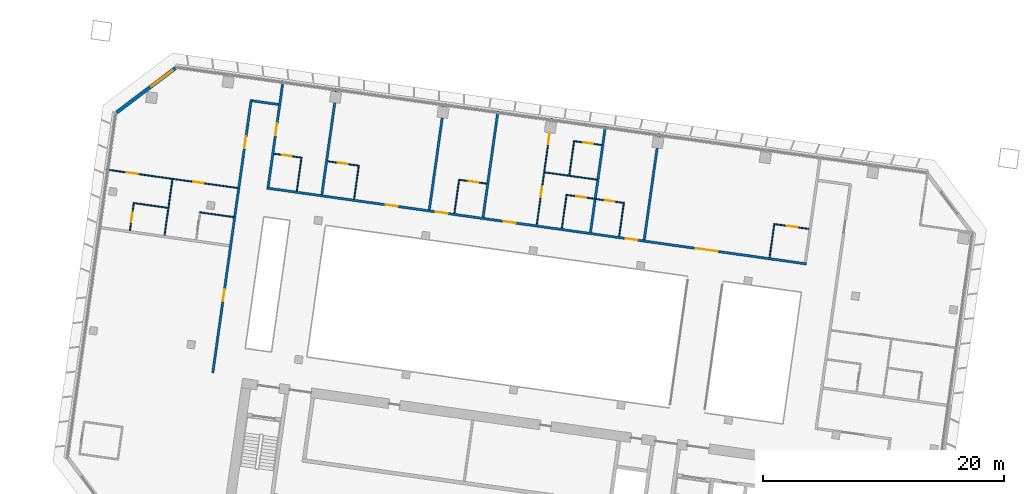
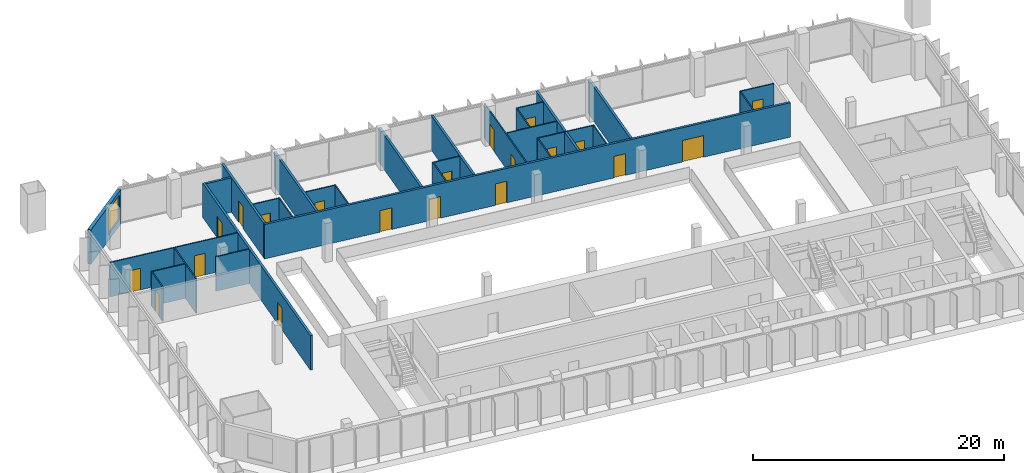
# One storey, part 16 of 25: 30 walls, 20 doors, 1 window, 21 openings.
"""IFC4 building model written with IfcOpenShell, lengths in metres."""

from ifc_helpers import new_model, si_unit, direction, frame, frame_2d, origin, place, context, subcontext, project, spatial, rectangle, extrude, material, layer, layer_set, type_object, element, fill, save


model = new_model("IFC4")

# Units and contexts
model_context = context("Model", 3, precision=1e-05, world=origin(), true_north=direction((0.0, 1.0)))
body_context = subcontext(model_context, "Body", "Model", "MODEL_VIEW")
ifc_project = project(units=[si_unit("LENGTHUNIT", "METRE"), si_unit("AREAUNIT", "SQUARE_METRE"), si_unit("VOLUMEUNIT", "CUBIC_METRE"), si_unit("PLANEANGLEUNIT", "RADIAN"), si_unit("MASSUNIT", "GRAM", prefix="KILO")], contexts=[model_context])

# Site, building, storey
site_placement = place(None, origin())
site = spatial("IfcSite", under=ifc_project, at=site_placement, CompositionType="ELEMENT")
building_placement = place(site_placement, origin())
building = spatial("IfcBuilding", under=site, at=building_placement, Name="Mirante Cascada Hotel Towers", CompositionType="ELEMENT")
storey_placement = place(building_placement, frame((0.0, 0.0, 129.1)))
storey = spatial("IfcBuildingStorey", under=building, at=storey_placement, Name="L29", CompositionType="ELEMENT", Elevation=129.1)

# Wall, openings, doors
ifc_material_1 = material(Name="Fire-rated plasterboard on metal studs")
ifc_layer_1 = layer(ifc_material_1, 0.2)
ifc_layer_set_1 = layer_set([ifc_layer_1], Name="Compartment wall 200 EI 120")
wall_type_1 = type_object("IfcWallType", Name="Compartment wall 200 EI 120", PredefinedType="PARTITIONING", material=ifc_layer_set_1)
wall_1_placement = place(storey_placement, frame((-41.8779, 9.7676, 0.0), z_axis=(0.0, 0.0, 1.0), x_axis=(-0.9902681, 0.1391726, 0.0)))
wall_1 = element("IfcWall", 1, at=wall_1_placement, inside=storey, type_object=wall_type_1, Name="Wall 1-L29-12", PredefinedType="PARTITIONING", context=body_context, shape_type="SweptSolid", body=[
    extrude(rectangle(XDim=45.2, YDim=0.2, at=frame_2d((22.6, 0.0))), origin(), (0.0, 0.0, 1.0), 3.35),
])
opening_1_placement = place(wall_1_placement, frame((7.45, 0.0, 0.0)))
opening_1 = element("IfcOpeningElement", 2, at=opening_1_placement, cuts=wall_1, Name="Opening D1-L29-06", PredefinedType="OPENING", context=body_context, shape_type="SweptSolid", body=[
    extrude(rectangle(XDim=1.8, YDim=2.1, at=frame_2d((0.9, 1.05))), frame((0.0, 0.1, 0.0), z_axis=(0.0, -1.0, 0.0), x_axis=(1.0, 0.0, 0.0)), (0.0, 0.0, 1.0), 0.2),
])
opening_2_placement = place(wall_1_placement, frame((14.15, 0.0, 0.0)))
opening_2 = element("IfcOpeningElement", 3, at=opening_2_placement, cuts=wall_1, Name="Opening D1-L29-07", PredefinedType="OPENING", context=body_context, shape_type="SweptSolid", body=[
    extrude(rectangle(XDim=1.0, YDim=2.1, at=frame_2d((0.5, 1.05))), frame((0.0, 0.1, 0.0), z_axis=(0.0, -1.0, 0.0), x_axis=(1.0, 0.0, 0.0)), (0.0, 0.0, 1.0), 0.2),
])
opening_3_placement = place(wall_1_placement, frame((24.35, 0.0, 0.0)))
opening_3 = element("IfcOpeningElement", 4, at=opening_3_placement, cuts=wall_1, Name="Opening D1-L29-08", PredefinedType="OPENING", context=body_context, shape_type="SweptSolid", body=[
    extrude(rectangle(XDim=1.0, YDim=2.1, at=frame_2d((0.5, 1.05))), frame((0.0, 0.1, 0.0), z_axis=(0.0, -1.0, 0.0), x_axis=(1.0, 0.0, 0.0)), (0.0, 0.0, 1.0), 0.2),
])
opening_4_placement = place(wall_1_placement, frame((30.05, 0.0, 0.0)))
opening_4 = element("IfcOpeningElement", 5, at=opening_4_placement, cuts=wall_1, Name="Opening D1-L29-09", PredefinedType="OPENING", context=body_context, shape_type="SweptSolid", body=[
    extrude(rectangle(XDim=1.0, YDim=2.1, at=frame_2d((0.5, 1.05))), frame((0.0, 0.1, 0.0), z_axis=(0.0, -1.0, 0.0), x_axis=(1.0, 0.0, 0.0)), (0.0, 0.0, 1.0), 0.2),
])
opening_5_placement = place(wall_1_placement, frame((34.25, 0.0, 0.0)))
opening_5 = element("IfcOpeningElement", 6, at=opening_5_placement, cuts=wall_1, Name="Opening D1-L29-10", PredefinedType="OPENING", context=body_context, shape_type="SweptSolid", body=[
    extrude(rectangle(XDim=1.0, YDim=2.1, at=frame_2d((0.5, 1.05))), frame((0.0, 0.1, 0.0), z_axis=(0.0, -1.0, 0.0), x_axis=(1.0, 0.0, 0.0)), (0.0, 0.0, 1.0), 0.2),
])
ifc_material_2 = material(Name="Fire-rated timber door leaf", Category="wood")
door_type_1 = type_object("IfcDoorType", Name="Entrance door DG1 1000x2100 EI 60", OperationType="SINGLE_SWING_LEFT", PredefinedType="DOOR", material=ifc_material_2)
door_1_placement = place(opening_2_placement, frame((1.0, 0.0, 0.0), z_axis=(0.0, 0.0, 1.0), x_axis=(-1.0, 0.0, 0.0)))
door_1 = element("IfcDoor", 7, at=door_1_placement, inside=storey, type_object=door_type_1, Name="Door D1-L29-07", OperationType="SINGLE_SWING_RIGHT", OverallHeight=2.1, OverallWidth=1.0, PredefinedType="DOOR", context=body_context, shape_type="SweptSolid", body=[
    extrude(rectangle(XDim=1.0, YDim=2.1, at=frame_2d((0.5, 1.05))), frame((0.0, 0.025, 0.0), z_axis=(0.0, -1.0, 0.0), x_axis=(1.0, 0.0, 0.0)), (0.0, 0.0, 1.0), 0.05),
])
fill(opening_2, door_1)
door_2_placement = place(opening_3_placement, frame((1.0, 0.0, 0.0), z_axis=(0.0, 0.0, 1.0), x_axis=(-1.0, 0.0, 0.0)))
door_2 = element("IfcDoor", 8, at=door_2_placement, inside=storey, type_object=door_type_1, Name="Door D1-L29-08", OperationType="SINGLE_SWING_RIGHT", OverallHeight=2.1, OverallWidth=1.0, PredefinedType="DOOR", context=body_context, shape_type="SweptSolid", body=[
    extrude(rectangle(XDim=1.0, YDim=2.1, at=frame_2d((0.5, 1.05))), frame((0.0, 0.025, 0.0), z_axis=(0.0, -1.0, 0.0), x_axis=(1.0, 0.0, 0.0)), (0.0, 0.0, 1.0), 0.05),
])
fill(opening_3, door_2)
door_3_placement = place(opening_4_placement, frame((1.0, 0.0, 0.0), z_axis=(0.0, 0.0, 1.0), x_axis=(-1.0, 0.0, 0.0)))
door_3 = element("IfcDoor", 9, at=door_3_placement, inside=storey, type_object=door_type_1, Name="Door D1-L29-09", OperationType="SINGLE_SWING_RIGHT", OverallHeight=2.1, OverallWidth=1.0, PredefinedType="DOOR", context=body_context, shape_type="SweptSolid", body=[
    extrude(rectangle(XDim=1.0, YDim=2.1, at=frame_2d((0.5, 1.05))), frame((0.0, 0.025, 0.0), z_axis=(0.0, -1.0, 0.0), x_axis=(1.0, 0.0, 0.0)), (0.0, 0.0, 1.0), 0.05),
])
fill(opening_4, door_3)
door_4_placement = place(opening_5_placement, frame((1.0, 0.0, 0.0), z_axis=(0.0, 0.0, 1.0), x_axis=(-1.0, 0.0, 0.0)))
door_4 = element("IfcDoor", 10, at=door_4_placement, inside=storey, type_object=door_type_1, Name="Door D1-L29-10", OperationType="SINGLE_SWING_RIGHT", OverallHeight=2.1, OverallWidth=1.0, PredefinedType="DOOR", context=body_context, shape_type="SweptSolid", body=[
    extrude(rectangle(XDim=1.0, YDim=2.1, at=frame_2d((0.5, 1.05))), frame((0.0, 0.025, 0.0), z_axis=(0.0, -1.0, 0.0), x_axis=(1.0, 0.0, 0.0)), (0.0, 0.0, 1.0), 0.05),
])
fill(opening_5, door_4)
ifc_material_3 = material(Name="Fire-rated timber door leaf", Category="wood")
door_type_2 = type_object("IfcDoorType", Name="Suite double door DG2 1800x2100 EI 60", OperationType="DOUBLE_DOOR_SINGLE_SWING", PredefinedType="DOOR", material=ifc_material_3)
door_5_placement = place(opening_1_placement, origin())
door_5 = element("IfcDoor", 11, at=door_5_placement, inside=storey, type_object=door_type_2, Name="Door D1-L29-06", OperationType="DOUBLE_DOOR_SINGLE_SWING", OverallHeight=2.1, OverallWidth=1.8, PredefinedType="DOOR", context=body_context, shape_type="SweptSolid", body=[
    extrude(rectangle(XDim=0.895, YDim=2.1, at=frame_2d((0.4475, 1.05))), frame((0.0, 0.025, 0.0), z_axis=(0.0, -1.0, 0.0), x_axis=(1.0, 0.0, 0.0)), (0.0, 0.0, 1.0), 0.05),
    extrude(rectangle(XDim=0.895, YDim=2.1, at=frame_2d((1.3525, 1.05))), frame((0.0, 0.025, 0.0), z_axis=(0.0, -1.0, 0.0), x_axis=(1.0, 0.0, 0.0)), (0.0, 0.0, 1.0), 0.05),
])
fill(opening_1, door_5)

# Walls
wall_2_placement = place(storey_placement, frame((-87.8424, 23.2963, 0.0), z_axis=(0.0, 0.0, 1.0), x_axis=(0.990267, -0.139181, 0.0)))
element("IfcWall", 12, at=wall_2_placement, inside=storey, type_object=wall_type_1, Name="Wall 1-L29-21", PredefinedType="PARTITIONING", context=body_context, shape_type="SweptSolid", body=[
    extrude(rectangle(XDim=2.2, YDim=0.2, at=frame_2d((1.1, 0.0))), origin(), (0.0, 0.0, 1.0), 3.35),
])
wall_3_placement = place(storey_placement, frame((-54.0929, 20.5728, 0.0), z_axis=(0.0, 0.0, 1.0), x_axis=(-0.1391794, -0.9902672, 0.0)))
element("IfcWall", 13, at=wall_3_placement, inside=storey, type_object=wall_type_1, Name="Wall 1-L29-31", PredefinedType="PARTITIONING", context=body_context, shape_type="SweptSolid", body=[
    extrude(rectangle(XDim=8.9, YDim=0.2, at=frame_2d((4.45, 0.0))), origin(), (0.0, 0.0, 1.0), 3.35),
])
wall_4_placement = place(storey_placement, frame((-58.5492, 21.199, 0.0), z_axis=(0.0, 0.0, 1.0), x_axis=(-0.13917, -0.9902685, 0.0)))
element("IfcWall", 14, at=wall_4_placement, inside=storey, type_object=wall_type_1, Name="Wall 1-L29-33", PredefinedType="PARTITIONING", context=body_context, shape_type="SweptSolid", body=[
    extrude(rectangle(XDim=8.8999, YDim=0.2, at=frame_2d((4.45, 0.0))), origin(), (0.0, 0.0, 1.0), 3.35),
])
for number, where, z_axis, x_axis, name in (
    (15, (-67.4616, 22.4516, 0.0), (0.0, 0.0, 1.0), (-0.1391684, -0.9902687, 0.0), "Wall 1-L29-37"),
    (16, (-71.9178, 23.0779, 0.0), (0.0, 0.0, 1.0), (-0.1391684, -0.9902687, 0.0), "Wall 1-L29-39"),
):
    element("IfcWall", number, at=place(storey_placement, frame(where, z_axis=z_axis, x_axis=x_axis)), inside=storey, type_object=wall_type_1, Name=name, PredefinedType="PARTITIONING", context=body_context, shape_type="SweptSolid", body=[
        extrude(rectangle(XDim=8.9, YDim=0.2, at=frame_2d((4.45, 0.0))), origin(), (0.0, 0.0, 1.0), 3.35),
    ])
wall_5_placement = place(storey_placement, frame((-80.8302, 24.3304, 0.0), z_axis=(0.0, 0.0, 1.0), x_axis=(-0.13917, -0.9902685, 0.0)))
element("IfcWall", 17, at=wall_5_placement, inside=storey, type_object=wall_type_1, Name="Wall 1-L29-41", PredefinedType="PARTITIONING", context=body_context, shape_type="SweptSolid", body=[
    extrude(rectangle(XDim=8.8999, YDim=0.2, at=frame_2d((4.45, 0.0))), origin(), (0.0, 0.0, 1.0), 3.35),
])

# Wall, opening, door
wall_6_placement = place(storey_placement, frame((-85.2864, 24.9567, 0.0), z_axis=(0.0, 0.0, 1.0), x_axis=(-0.1391684, -0.9902687, 0.0)))
wall_6 = element("IfcWall", 18, at=wall_6_placement, inside=storey, type_object=wall_type_1, Name="Wall 1-L29-43", PredefinedType="PARTITIONING", context=body_context, shape_type="SweptSolid", body=[
    extrude(rectangle(XDim=8.9, YDim=0.2, at=frame_2d((4.45, 0.0))), origin(), (0.0, 0.0, 1.0), 3.35),
])
opening_6_placement = place(wall_6_placement, frame((3.55, 0.0, 0.0)))
opening_6 = element("IfcOpeningElement", 19, at=opening_6_placement, cuts=wall_6, Name="Opening D1-L29-24", PredefinedType="OPENING", context=body_context, shape_type="SweptSolid", body=[
    extrude(rectangle(XDim=1.0, YDim=2.1, at=frame_2d((0.5, 1.05))), frame((0.0, 0.1, 0.0), z_axis=(0.0, -1.0, 0.0), x_axis=(1.0, 0.0, 0.0)), (0.0, 0.0, 1.0), 0.2),
])
door_6_placement = place(opening_6_placement, origin())
door_6 = element("IfcDoor", 20, at=door_6_placement, inside=storey, type_object=door_type_1, Name="Door D1-L29-24", OperationType="SINGLE_SWING_LEFT", OverallHeight=2.1, OverallWidth=1.0, PredefinedType="DOOR", context=body_context, shape_type="SweptSolid", body=[
    extrude(rectangle(XDim=1.0, YDim=2.1, at=frame_2d((0.5, 1.05))), frame((0.0, 0.025, 0.0), z_axis=(0.0, -1.0, 0.0), x_axis=(1.0, 0.0, 0.0)), (0.0, 0.0, 1.0), 0.05),
])
fill(opening_6, door_6)

# Wall, openings, doors
wall_7_placement = place(storey_placement, frame((-91.1145, 0.7321, 0.0), z_axis=(0.0, 0.0, 1.0), x_axis=(0.1391706, 0.9902684, 0.0)))
wall_7 = element("IfcWall", 21, at=wall_7_placement, inside=storey, type_object=wall_type_1, Name="Wall 1-L29-44", PredefinedType="PARTITIONING", context=body_context, shape_type="SweptSolid", body=[
    extrude(rectangle(XDim=22.9, YDim=0.2, at=frame_2d((11.45, 0.0))), origin(), (0.0, 0.0, 1.0), 3.35),
])
opening_7_placement = place(wall_7_placement, frame((6.0167, 0.0, 0.0)))
opening_7 = element("IfcOpeningElement", 22, at=opening_7_placement, cuts=wall_7, Name="Opening D1-L29-25", PredefinedType="OPENING", context=body_context, shape_type="SweptSolid", body=[
    extrude(rectangle(XDim=1.0, YDim=2.1, at=frame_2d((0.5, 1.05))), frame((0.0, 0.1, 0.0), z_axis=(0.0, -1.0, 0.0), x_axis=(1.0, 0.0, 0.0)), (0.0, 0.0, 1.0), 0.2),
])
opening_8_placement = place(wall_7_placement, frame((18.8, 0.0, 0.0)))
opening_8 = element("IfcOpeningElement", 23, at=opening_8_placement, cuts=wall_7, Name="Opening D1-L29-26", PredefinedType="OPENING", context=body_context, shape_type="SweptSolid", body=[
    extrude(rectangle(XDim=1.0, YDim=2.1, at=frame_2d((0.5, 1.05))), frame((0.0, 0.1, 0.0), z_axis=(0.0, -1.0, 0.0), x_axis=(1.0, 0.0, 0.0)), (0.0, 0.0, 1.0), 0.2),
])
door_7_placement = place(opening_7_placement, origin())
door_7 = element("IfcDoor", 24, at=door_7_placement, inside=storey, type_object=door_type_1, Name="Door D1-L29-25", OperationType="SINGLE_SWING_LEFT", OverallHeight=2.1, OverallWidth=1.0, PredefinedType="DOOR", context=body_context, shape_type="SweptSolid", body=[
    extrude(rectangle(XDim=1.0, YDim=2.1, at=frame_2d((0.5, 1.05))), frame((0.0, 0.025, 0.0), z_axis=(0.0, -1.0, 0.0), x_axis=(1.0, 0.0, 0.0)), (0.0, 0.0, 1.0), 0.05),
])
fill(opening_7, door_7)
door_8_placement = place(opening_8_placement, origin())
door_8 = element("IfcDoor", 25, at=door_8_placement, inside=storey, type_object=door_type_1, Name="Door D1-L29-26", OperationType="SINGLE_SWING_LEFT", OverallHeight=2.1, OverallWidth=1.0, PredefinedType="DOOR", context=body_context, shape_type="SweptSolid", body=[
    extrude(rectangle(XDim=1.0, YDim=2.1, at=frame_2d((0.5, 1.05))), frame((0.0, 0.025, 0.0), z_axis=(0.0, -1.0, 0.0), x_axis=(1.0, 0.0, 0.0)), (0.0, 0.0, 1.0), 0.05),
])
fill(opening_8, door_8)

# Walls
ifc_material_4 = material(Name="Plasterboard on metal studs")
ifc_layer_2 = layer(ifc_material_4, 0.1)
ifc_layer_set_2 = layer_set([ifc_layer_2], Name="Partition 100")
wall_type_2 = type_object("IfcWallType", Name="Partition 100", PredefinedType="PARTITIONING", material=ifc_layer_set_2)
wall_8_placement = place(storey_placement, frame((-92.2219, 14.0491, 0.0), z_axis=(0.0, 0.0, 1.0), x_axis=(0.9902697, -0.1391613, 0.0)))
element("IfcWall", 26, at=wall_8_placement, inside=storey, type_object=wall_type_2, Name="Wall 1-L29-09", PredefinedType="PARTITIONING", context=body_context, shape_type="SweptSolid", body=[
    extrude(rectangle(XDim=2.8499, YDim=0.1, at=frame_2d((1.425, 0.0))), origin(), (0.0, 0.0, 1.0), 3.35),
])
wall_9_placement = place(storey_placement, frame((-94.8461, 14.4179, 0.0), z_axis=(0.0, 0.0, 1.0), x_axis=(-0.9902683, 0.1391714, 0.0)))
element("IfcWall", 27, at=wall_9_placement, inside=storey, type_object=wall_type_2, Name="Wall 1-L29-10", PredefinedType="PARTITIONING", context=body_context, shape_type="SweptSolid", body=[
    extrude(rectangle(XDim=2.9, YDim=0.1, at=frame_2d((1.45, 0.0))), origin(), (0.0, 0.0, 1.0), 3.35),
])

# Wall, openings, doors
wall_10_placement = place(storey_placement, frame((-99.954, 17.5931, 0.0), z_axis=(0.0, 0.0, 1.0), x_axis=(0.9902682, -0.1391721, 0.0)))
wall_10 = element("IfcWall", 28, at=wall_10_placement, inside=storey, type_object=wall_type_2, Name="Wall 1-L29-11", PredefinedType="PARTITIONING", context=body_context, shape_type="SweptSolid", body=[
    extrude(rectangle(XDim=11.0001, YDim=0.1, at=frame_2d((5.5, 0.0))), origin(), (0.0, 0.0, 1.0), 3.35),
])
opening_9_placement = place(wall_10_placement, frame((7.275, 0.0, 0.0)))
opening_9 = element("IfcOpeningElement", 29, at=opening_9_placement, cuts=wall_10, Name="Opening D1-L29-04", PredefinedType="OPENING", context=body_context, shape_type="SweptSolid", body=[
    extrude(rectangle(XDim=0.9, YDim=2.1, at=frame_2d((0.45, 1.05))), frame((0.0, 0.05, 0.0), z_axis=(0.0, -1.0, 0.0), x_axis=(1.0, 0.0, 0.0)), (0.0, 0.0, 1.0), 0.1),
])
opening_10_placement = place(wall_10_placement, frame((1.725, 0.0, 0.0)))
opening_10 = element("IfcOpeningElement", 30, at=opening_10_placement, cuts=wall_10, Name="Opening D1-L29-05", PredefinedType="OPENING", context=body_context, shape_type="SweptSolid", body=[
    extrude(rectangle(XDim=0.9, YDim=2.1, at=frame_2d((0.45, 1.05))), frame((0.0, 0.05, 0.0), z_axis=(0.0, -1.0, 0.0), x_axis=(1.0, 0.0, 0.0)), (0.0, 0.0, 1.0), 0.1),
])
ifc_material_5 = material(Name="Timber door leaf", Category="wood")
door_type_3 = type_object("IfcDoorType", Name="Room door DG3 900x2100", OperationType="SINGLE_SWING_LEFT", PredefinedType="DOOR", material=ifc_material_5)
door_9_placement = place(opening_9_placement, origin())
door_9 = element("IfcDoor", 31, at=door_9_placement, inside=storey, type_object=door_type_3, Name="Door D1-L29-04", OperationType="SINGLE_SWING_LEFT", OverallHeight=2.1, OverallWidth=0.9, PredefinedType="DOOR", context=body_context, shape_type="SweptSolid", body=[
    extrude(rectangle(XDim=0.9, YDim=2.1, at=frame_2d((0.45, 1.05))), frame((0.0, 0.025, 0.0), z_axis=(0.0, -1.0, 0.0), x_axis=(1.0, 0.0, 0.0)), (0.0, 0.0, 1.0), 0.05),
])
fill(opening_9, door_9)
door_10_placement = place(opening_10_placement, origin())
door_10 = element("IfcDoor", 32, at=door_10_placement, inside=storey, type_object=door_type_3, Name="Door D1-L29-05", OperationType="SINGLE_SWING_LEFT", OverallHeight=2.1, OverallWidth=0.9, PredefinedType="DOOR", context=body_context, shape_type="SweptSolid", body=[
    extrude(rectangle(XDim=0.9, YDim=2.1, at=frame_2d((0.45, 1.05))), frame((0.0, 0.025, 0.0), z_axis=(0.0, -1.0, 0.0), x_axis=(1.0, 0.0, 0.0)), (0.0, 0.0, 1.0), 0.05),
])
fill(opening_10, door_10)

# Wall, opening, door
wall_11_placement = place(storey_placement, frame((-44.5936, 13.0778, 0.0), z_axis=(0.0, 0.0, 1.0), x_axis=(0.9902663, -0.1391858, 0.0)))
wall_11 = element("IfcWall", 33, at=wall_11_placement, inside=storey, type_object=wall_type_2, Name="Wall 1-L29-13", PredefinedType="PARTITIONING", context=body_context, shape_type="SweptSolid", body=[
    extrude(rectangle(XDim=2.95, YDim=0.1, at=frame_2d((1.475, 0.0))), origin(), (0.0, 0.0, 1.0), 3.35),
])
opening_11_placement = place(wall_11_placement, frame((1.1, 0.0, 0.0)))
opening_11 = element("IfcOpeningElement", 34, at=opening_11_placement, cuts=wall_11, Name="Opening D1-L29-11", PredefinedType="OPENING", context=body_context, shape_type="SweptSolid", body=[
    extrude(rectangle(XDim=0.9, YDim=2.1, at=frame_2d((0.45, 1.05))), frame((0.0, 0.05, 0.0), z_axis=(0.0, -1.0, 0.0), x_axis=(1.0, 0.0, 0.0)), (0.0, 0.0, 1.0), 0.1),
])
door_11_placement = place(opening_11_placement, origin())
door_11 = element("IfcDoor", 35, at=door_11_placement, inside=storey, type_object=door_type_3, Name="Door D1-L29-11", OperationType="SINGLE_SWING_LEFT", OverallHeight=2.1, OverallWidth=0.9, PredefinedType="DOOR", context=body_context, shape_type="SweptSolid", body=[
    extrude(rectangle(XDim=0.9, YDim=2.1, at=frame_2d((0.45, 1.05))), frame((0.0, 0.025, 0.0), z_axis=(0.0, -1.0, 0.0), x_axis=(1.0, 0.0, 0.0)), (0.0, 0.0, 1.0), 0.05),
])
fill(opening_11, door_11)

# Wall, openings, doors
wall_12_placement = place(storey_placement, frame((-56.972, 14.8174, 0.0), z_axis=(0.0, 0.0, 1.0), x_axis=(-0.9902666, 0.1391838, 0.0)))
wall_12 = element("IfcWall", 36, at=wall_12_placement, inside=storey, type_object=wall_type_2, Name="Wall 1-L29-14", PredefinedType="PARTITIONING", context=body_context, shape_type="SweptSolid", body=[
    extrude(rectangle(XDim=4.9, YDim=0.1, at=frame_2d((2.45, 0.0))), origin(), (0.0, 0.0, 1.0), 3.35),
])
opening_12_placement = place(wall_12_placement, frame((0.85, 0.0, 0.0)))
opening_12 = element("IfcOpeningElement", 37, at=opening_12_placement, cuts=wall_12, Name="Opening D1-L29-12", PredefinedType="OPENING", context=body_context, shape_type="SweptSolid", body=[
    extrude(rectangle(XDim=0.8, YDim=2.1, at=frame_2d((0.4, 1.05))), frame((0.0, 0.05, 0.0), z_axis=(0.0, -1.0, 0.0), x_axis=(1.0, 0.0, 0.0)), (0.0, 0.0, 1.0), 0.1),
])
opening_13_placement = place(wall_12_placement, frame((3.25, 0.0, 0.0)))
opening_13 = element("IfcOpeningElement", 38, at=opening_13_placement, cuts=wall_12, Name="Opening D1-L29-13", PredefinedType="OPENING", context=body_context, shape_type="SweptSolid", body=[
    extrude(rectangle(XDim=0.8, YDim=2.1, at=frame_2d((0.4, 1.05))), frame((0.0, 0.05, 0.0), z_axis=(0.0, -1.0, 0.0), x_axis=(1.0, 0.0, 0.0)), (0.0, 0.0, 1.0), 0.1),
])
ifc_material_6 = material(Name="Timber door leaf", Category="wood")
door_type_4 = type_object("IfcDoorType", Name="Bathroom door DG4 800x2100", OperationType="SINGLE_SWING_LEFT", PredefinedType="DOOR", material=ifc_material_6)
door_12_placement = place(opening_12_placement, frame((0.8, 0.0, 0.0), z_axis=(0.0, 0.0, 1.0), x_axis=(-1.0, 0.0, 0.0)))
door_12 = element("IfcDoor", 39, at=door_12_placement, inside=storey, type_object=door_type_4, Name="Door D1-L29-12", OperationType="SINGLE_SWING_RIGHT", OverallHeight=2.1, OverallWidth=0.8, PredefinedType="DOOR", context=body_context, shape_type="SweptSolid", body=[
    extrude(rectangle(XDim=0.8, YDim=2.1, at=frame_2d((0.4, 1.05))), frame((0.0, 0.025, 0.0), z_axis=(0.0, -1.0, 0.0), x_axis=(1.0, 0.0, 0.0)), (0.0, 0.0, 1.0), 0.05),
])
fill(opening_12, door_12)
door_13_placement = place(opening_13_placement, origin())
door_13 = element("IfcDoor", 40, at=door_13_placement, inside=storey, type_object=door_type_4, Name="Door D1-L29-13", OperationType="SINGLE_SWING_LEFT", OverallHeight=2.1, OverallWidth=0.8, PredefinedType="DOOR", context=body_context, shape_type="SweptSolid", body=[
    extrude(rectangle(XDim=0.8, YDim=2.1, at=frame_2d((0.4, 1.05))), frame((0.0, 0.025, 0.0), z_axis=(0.0, -1.0, 0.0), x_axis=(1.0, 0.0, 0.0)), (0.0, 0.0, 1.0), 0.05),
])
fill(opening_13, door_13)

# Wall, opening, door
wall_13_placement = place(storey_placement, frame((-70.6377, 16.738, 0.0), z_axis=(0.0, 0.0, 1.0), x_axis=(0.9902705, -0.1391561, 0.0)))
wall_13 = element("IfcWall", 41, at=wall_13_placement, inside=storey, type_object=wall_type_2, Name="Wall 1-L29-15", PredefinedType="PARTITIONING", context=body_context, shape_type="SweptSolid", body=[
    extrude(rectangle(XDim=2.25, YDim=0.1, at=frame_2d((1.125, 0.0))), origin(), (0.0, 0.0, 1.0), 3.35),
])
opening_14_placement = place(wall_13_placement, frame((0.75, 0.0, 0.0)))
opening_14 = element("IfcOpeningElement", 42, at=opening_14_placement, cuts=wall_13, Name="Opening D1-L29-14", PredefinedType="OPENING", context=body_context, shape_type="SweptSolid", body=[
    extrude(rectangle(XDim=0.8, YDim=2.1, at=frame_2d((0.4, 1.05))), frame((0.0, 0.05, 0.0), z_axis=(0.0, -1.0, 0.0), x_axis=(1.0, 0.0, 0.0)), (0.0, 0.0, 1.0), 0.1),
])
door_14_placement = place(opening_14_placement, origin())
door_14 = element("IfcDoor", 43, at=door_14_placement, inside=storey, type_object=door_type_4, Name="Door D1-L29-14", OperationType="SINGLE_SWING_LEFT", OverallHeight=2.1, OverallWidth=0.8, PredefinedType="DOOR", context=body_context, shape_type="SweptSolid", body=[
    extrude(rectangle(XDim=0.8, YDim=2.1, at=frame_2d((0.4, 1.05))), frame((0.0, 0.025, 0.0), z_axis=(0.0, -1.0, 0.0), x_axis=(1.0, 0.0, 0.0)), (0.0, 0.0, 1.0), 0.05),
])
fill(opening_14, door_14)

wall_14_placement = place(storey_placement, frame((-79.0549, 17.921, 0.0), z_axis=(0.0, 0.0, 1.0), x_axis=(-0.9902677, 0.1391755, 0.0)))
wall_14 = element("IfcWall", 44, at=wall_14_placement, inside=storey, type_object=wall_type_2, Name="Wall 1-L29-16", PredefinedType="PARTITIONING", context=body_context, shape_type="SweptSolid", body=[
    extrude(rectangle(XDim=2.55, YDim=0.1, at=frame_2d((1.275, 0.0))), origin(), (0.0, 0.0, 1.0), 3.35),
])
opening_15_placement = place(wall_14_placement, frame((0.9, 0.0, 0.0)))
opening_15 = element("IfcOpeningElement", 45, at=opening_15_placement, cuts=wall_14, Name="Opening D1-L29-15", PredefinedType="OPENING", context=body_context, shape_type="SweptSolid", body=[
    extrude(rectangle(XDim=0.8, YDim=2.1, at=frame_2d((0.4, 1.05))), frame((0.0, 0.05, 0.0), z_axis=(0.0, -1.0, 0.0), x_axis=(1.0, 0.0, 0.0)), (0.0, 0.0, 1.0), 0.1),
])
door_15_placement = place(opening_15_placement, frame((0.8, 0.0, 0.0), z_axis=(0.0, 0.0, 1.0), x_axis=(-1.0, 0.0, 0.0)))
door_15 = element("IfcDoor", 46, at=door_15_placement, inside=storey, type_object=door_type_4, Name="Door D1-L29-15", OperationType="SINGLE_SWING_RIGHT", OverallHeight=2.1, OverallWidth=0.8, PredefinedType="DOOR", context=body_context, shape_type="SweptSolid", body=[
    extrude(rectangle(XDim=0.8, YDim=2.1, at=frame_2d((0.4, 1.05))), frame((0.0, 0.025, 0.0), z_axis=(0.0, -1.0, 0.0), x_axis=(1.0, 0.0, 0.0)), (0.0, 0.0, 1.0), 0.05),
])
fill(opening_15, door_15)

wall_15_placement = place(storey_placement, frame((-86.0363, 18.9022, 0.0), z_axis=(0.0, 0.0, 1.0), x_axis=(0.9902643, -0.1391997, 0.0)))
wall_15 = element("IfcWall", 47, at=wall_15_placement, inside=storey, type_object=wall_type_2, Name="Wall 1-L29-17", PredefinedType="PARTITIONING", context=body_context, shape_type="SweptSolid", body=[
    extrude(rectangle(XDim=2.25, YDim=0.1, at=frame_2d((1.125, 0.0))), origin(), (0.0, 0.0, 1.0), 3.35),
])
opening_16_placement = place(wall_15_placement, frame((0.7, 0.0, 0.0)))
opening_16 = element("IfcOpeningElement", 48, at=opening_16_placement, cuts=wall_15, Name="Opening D1-L29-16", PredefinedType="OPENING", context=body_context, shape_type="SweptSolid", body=[
    extrude(rectangle(XDim=0.8, YDim=2.1, at=frame_2d((0.4, 1.05))), frame((0.0, 0.05, 0.0), z_axis=(0.0, -1.0, 0.0), x_axis=(1.0, 0.0, 0.0)), (0.0, 0.0, 1.0), 0.1),
])
door_16_placement = place(opening_16_placement, origin())
door_16 = element("IfcDoor", 49, at=door_16_placement, inside=storey, type_object=door_type_4, Name="Door D1-L29-16", OperationType="SINGLE_SWING_LEFT", OverallHeight=2.1, OverallWidth=0.8, PredefinedType="DOOR", context=body_context, shape_type="SweptSolid", body=[
    extrude(rectangle(XDim=0.8, YDim=2.1, at=frame_2d((0.4, 1.05))), frame((0.0, 0.025, 0.0), z_axis=(0.0, -1.0, 0.0), x_axis=(1.0, 0.0, 0.0)), (0.0, 0.0, 1.0), 0.05),
])
fill(opening_16, door_16)

# Wall
wall_16_placement = place(storey_placement, frame((-63.5821, 17.3622, 0.0), z_axis=(0.0, 0.0, 1.0), x_axis=(0.9902679, -0.1391745, 0.0)))
element("IfcWall", 50, at=wall_16_placement, inside=storey, type_object=wall_type_2, Name="Wall 1-L29-19", PredefinedType="PARTITIONING", context=body_context, shape_type="SweptSolid", body=[
    extrude(rectangle(XDim=4.3499, YDim=0.1, at=frame_2d((2.175, 0.0))), origin(), (0.0, 0.0, 1.0), 3.35),
])

# Wall, opening, door
wall_17_placement = place(storey_placement, frame((-58.8709, 19.6285, 0.0), z_axis=(0.0, 0.0, 1.0), x_axis=(-0.9902643, 0.1391997, 0.0)))
wall_17 = element("IfcWall", 51, at=wall_17_placement, inside=storey, type_object=wall_type_2, Name="Wall 1-L29-22", PredefinedType="PARTITIONING", context=body_context, shape_type="SweptSolid", body=[
    extrude(rectangle(XDim=2.25, YDim=0.1, at=frame_2d((1.125, 0.0))), origin(), (0.0, 0.0, 1.0), 3.35),
])
opening_17_placement = place(wall_17_placement, frame((0.7, 0.0, 0.0)))
opening_17 = element("IfcOpeningElement", 52, at=opening_17_placement, cuts=wall_17, Name="Opening D1-L29-17", PredefinedType="OPENING", context=body_context, shape_type="SweptSolid", body=[
    extrude(rectangle(XDim=0.8, YDim=2.1, at=frame_2d((0.4, 1.05))), frame((0.0, 0.05, 0.0), z_axis=(0.0, -1.0, 0.0), x_axis=(1.0, 0.0, 0.0)), (0.0, 0.0, 1.0), 0.1),
])
door_17_placement = place(opening_17_placement, origin())
door_17 = element("IfcDoor", 53, at=door_17_placement, inside=storey, type_object=door_type_4, Name="Door D1-L29-17", OperationType="SINGLE_SWING_LEFT", OverallHeight=2.1, OverallWidth=0.8, PredefinedType="DOOR", context=body_context, shape_type="SweptSolid", body=[
    extrude(rectangle(XDim=0.8, YDim=2.1, at=frame_2d((0.4, 1.05))), frame((0.0, 0.025, 0.0), z_axis=(0.0, -1.0, 0.0), x_axis=(1.0, 0.0, 0.0)), (0.0, 0.0, 1.0), 0.05),
])
fill(opening_17, door_17)

# Walls
wall_18_placement = place(storey_placement, frame((-44.9338, 10.2981, 0.0), z_axis=(0.0, 0.0, 1.0), x_axis=(0.1392013, 0.9902641, 0.0)))
element("IfcWall", 54, at=wall_18_placement, inside=storey, type_object=wall_type_2, Name="Wall 1-L29-30", PredefinedType="PARTITIONING", context=body_context, shape_type="SweptSolid", body=[
    extrude(rectangle(XDim=2.75, YDim=0.1, at=frame_2d((1.375, 0.0))), origin(), (0.0, 0.0, 1.0), 3.35),
])
wall_19_placement = place(storey_placement, frame((-57.4112, 12.0516, 0.0), z_axis=(0.0, 0.0, 1.0), x_axis=(0.1391963, 0.9902648, 0.0)))
element("IfcWall", 55, at=wall_19_placement, inside=storey, type_object=wall_type_2, Name="Wall 1-L29-32", PredefinedType="PARTITIONING", context=body_context, shape_type="SweptSolid", body=[
    extrude(rectangle(XDim=2.7501, YDim=0.1, at=frame_2d((1.3751, 0.0))), origin(), (0.0, 0.0, 1.0), 3.35),
])
wall_20_placement = place(storey_placement, frame((-62.1644, 12.7197, 0.0), z_axis=(0.0, 0.0, 1.0), x_axis=(0.1391657, 0.9902691, 0.0)))
element("IfcWall", 56, at=wall_20_placement, inside=storey, type_object=wall_type_2, Name="Wall 1-L29-34", PredefinedType="PARTITIONING", context=body_context, shape_type="SweptSolid", body=[
    extrude(rectangle(XDim=2.75, YDim=0.1, at=frame_2d((1.375, 0.0))), origin(), (0.0, 0.0, 1.0), 3.35),
])
wall_21_placement = place(storey_placement, frame((-61.1415, 19.9981, 0.0), z_axis=(0.0, 0.0, 1.0), x_axis=(-0.1391761, -0.9902676, 0.0)))
element("IfcWall", 57, at=wall_21_placement, inside=storey, type_object=wall_type_2, Name="Wall 1-L29-35", PredefinedType="PARTITIONING", context=body_context, shape_type="SweptSolid", body=[
    extrude(rectangle(XDim=2.8999, YDim=0.1, at=frame_2d((1.45, 0.0))), origin(), (0.0, 0.0, 1.0), 3.35),
])

# Wall, openings, doors
wall_22_placement = place(storey_placement, frame((-64.244, 13.0119, 0.0), z_axis=(0.0, 0.0, 1.0), x_axis=(0.1391684, 0.9902687, 0.0)))
wall_22 = element("IfcWall", 58, at=wall_22_placement, inside=storey, type_object=wall_type_2, Name="Wall 1-L29-36", PredefinedType="PARTITIONING", context=body_context, shape_type="SweptSolid", body=[
    extrude(rectangle(XDim=8.9, YDim=0.1, at=frame_2d((4.45, 0.0))), origin(), (0.0, 0.0, 1.0), 3.35),
])
opening_18_placement = place(wall_22_placement, frame((2.3, 0.0, 0.0)))
opening_18 = element("IfcOpeningElement", 59, at=opening_18_placement, cuts=wall_22, Name="Opening D1-L29-22", PredefinedType="OPENING", context=body_context, shape_type="SweptSolid", body=[
    extrude(rectangle(XDim=0.9, YDim=2.1, at=frame_2d((0.45, 1.05))), frame((0.0, 0.05, 0.0), z_axis=(0.0, -1.0, 0.0), x_axis=(1.0, 0.0, 0.0)), (0.0, 0.0, 1.0), 0.1),
])
opening_19_placement = place(wall_22_placement, frame((6.75, 0.0, 0.0)))
opening_19 = element("IfcOpeningElement", 60, at=opening_19_placement, cuts=wall_22, Name="Opening D1-L29-23", PredefinedType="OPENING", context=body_context, shape_type="SweptSolid", body=[
    extrude(rectangle(XDim=0.9, YDim=2.1, at=frame_2d((0.45, 1.05))), frame((0.0, 0.05, 0.0), z_axis=(0.0, -1.0, 0.0), x_axis=(1.0, 0.0, 0.0)), (0.0, 0.0, 1.0), 0.1),
])
door_18_placement = place(opening_18_placement, origin())
door_18 = element("IfcDoor", 61, at=door_18_placement, inside=storey, type_object=door_type_3, Name="Door D1-L29-22", OperationType="SINGLE_SWING_LEFT", OverallHeight=2.1, OverallWidth=0.9, PredefinedType="DOOR", context=body_context, shape_type="SweptSolid", body=[
    extrude(rectangle(XDim=0.9, YDim=2.1, at=frame_2d((0.45, 1.05))), frame((0.0, 0.025, 0.0), z_axis=(0.0, -1.0, 0.0), x_axis=(1.0, 0.0, 0.0)), (0.0, 0.0, 1.0), 0.05),
])
fill(opening_18, door_18)
door_19_placement = place(opening_19_placement, origin())
door_19 = element("IfcDoor", 62, at=door_19_placement, inside=storey, type_object=door_type_3, Name="Door D1-L29-23", OperationType="SINGLE_SWING_LEFT", OverallHeight=2.1, OverallWidth=0.9, PredefinedType="DOOR", context=body_context, shape_type="SweptSolid", body=[
    extrude(rectangle(XDim=0.9, YDim=2.1, at=frame_2d((0.45, 1.05))), frame((0.0, 0.025, 0.0), z_axis=(0.0, -1.0, 0.0), x_axis=(1.0, 0.0, 0.0)), (0.0, 0.0, 1.0), 0.05),
])
fill(opening_19, door_19)

# Walls
for number, where, z_axis, x_axis, name in (
    (63, (-71.0769, 13.9722, 0.0), (0.0, 0.0, 1.0), (0.1391909, 0.9902656, 0.0), "Wall 1-L29-38"),
    (64, (-79.3951, 15.1413, 0.0), (0.0, 0.0, 1.0), (0.1391564, 0.9902704, 0.0), "Wall 1-L29-40"),
    (65, (-84.1484, 15.8093, 0.0), (0.0, 0.0, 1.0), (0.1391909, 0.9902656, 0.0), "Wall 1-L29-42"),
):
    element("IfcWall", number, at=place(storey_placement, frame(where, z_axis=z_axis, x_axis=x_axis)), inside=storey, type_object=wall_type_2, Name=name, PredefinedType="PARTITIONING", context=body_context, shape_type="SweptSolid", body=[
        extrude(rectangle(XDim=2.85, YDim=0.1, at=frame_2d((1.425, 0.0))), origin(), (0.0, 0.0, 1.0), 3.35),
    ])
wall_23_placement = place(storey_placement, frame((-95.1167, 12.1333, 0.0), z_axis=(0.0, 0.0, 1.0), x_axis=(0.1391701, 0.9902685, 0.0)))
element("IfcWall", 66, at=wall_23_placement, inside=storey, type_object=wall_type_2, Name="Wall 1-L29-46", PredefinedType="PARTITIONING", context=body_context, shape_type="SweptSolid", body=[
    extrude(rectangle(XDim=4.6835, YDim=0.1, at=frame_2d((2.3418, 0.0))), origin(), (0.0, 0.0, 1.0), 3.35),
])

# Wall, opening, door
wall_24_placement = place(storey_placement, frame((-97.9885, 12.5369, 0.0), z_axis=(0.0, 0.0, 1.0), x_axis=(0.1391561, 0.9902705, 0.0)))
wall_24 = element("IfcWall", 67, at=wall_24_placement, inside=storey, type_object=wall_type_2, Name="Wall 1-L29-48", PredefinedType="PARTITIONING", context=body_context, shape_type="SweptSolid", body=[
    extrude(rectangle(XDim=2.25, YDim=0.1, at=frame_2d((1.125, 0.0))), origin(), (0.0, 0.0, 1.0), 3.35),
])
opening_20_placement = place(wall_24_placement, frame((0.7, 0.0, 0.0)))
opening_20 = element("IfcOpeningElement", 68, at=opening_20_placement, cuts=wall_24, Name="Opening D1-L29-28", PredefinedType="OPENING", context=body_context, shape_type="SweptSolid", body=[
    extrude(rectangle(XDim=0.8, YDim=2.1, at=frame_2d((0.4, 1.05))), frame((0.0, 0.05, 0.0), z_axis=(0.0, -1.0, 0.0), x_axis=(1.0, 0.0, 0.0)), (0.0, 0.0, 1.0), 0.1),
])
door_20_placement = place(opening_20_placement, frame((0.8, 0.0, 0.0), z_axis=(0.0, 0.0, 1.0), x_axis=(-1.0, 0.0, 0.0)))
door_20 = element("IfcDoor", 69, at=door_20_placement, inside=storey, type_object=door_type_4, Name="Door D1-L29-28", OperationType="SINGLE_SWING_RIGHT", OverallHeight=2.1, OverallWidth=0.8, PredefinedType="DOOR", context=body_context, shape_type="SweptSolid", body=[
    extrude(rectangle(XDim=0.8, YDim=2.1, at=frame_2d((0.4, 1.05))), frame((0.0, 0.025, 0.0), z_axis=(0.0, -1.0, 0.0), x_axis=(1.0, 0.0, 0.0)), (0.0, 0.0, 1.0), 0.05),
])
fill(opening_20, door_20)

# Wall, opening, window
ifc_material_7 = material(Name="Precast concrete C40/50", Category="concrete")
ifc_layer_3 = layer(ifc_material_7, 0.3)
ifc_layer_set_3 = layer_set([ifc_layer_3], Name="Precast concrete C40/50 cladding wall 300")
wall_type_3 = type_object("IfcWallType", Name="Precast concrete C40/50 cladding wall 300", PredefinedType="STANDARD", material=ifc_layer_set_3)
wall_25_placement = place(storey_placement, frame((-99.0919, 22.3343, 0.0), z_axis=(0.0, 0.0, 1.0), x_axis=(0.7986362, 0.6018141, 0.0)))
wall_25 = element("IfcWall", 70, at=wall_25_placement, inside=storey, type_object=wall_type_3, Name="Corner cladding wall T1 L29 outer front", PredefinedType="STANDARD", context=body_context, shape_type="SweptSolid", body=[
    extrude(rectangle(XDim=6.1157, YDim=0.3, at=frame_2d((3.0578, 0.0))), origin(), (0.0, 0.0, 1.0), 3.35),
])
opening_21_placement = place(wall_25_placement, frame((3.595, 0.0, 0.6)))
opening_21 = element("IfcOpeningElement", 71, at=opening_21_placement, cuts=wall_25, Name="Opening W1-29-04", PredefinedType="OPENING", context=body_context, shape_type="SweptSolid", body=[
    extrude(rectangle(XDim=2.2, YDim=2.4, at=frame_2d((1.1, 1.2))), frame((0.0, 0.15, 0.0), z_axis=(0.0, -1.0, 0.0), x_axis=(1.0, 0.0, 0.0)), (0.0, 0.0, 1.0), 0.3),
])
ifc_material_8 = material(Name="Aluminium frame with clear double glazing", Category="aluminium")
window_type = type_object("IfcWindowType", Name="Corner suite window 2200x2400", PartitioningType="DOUBLE_PANEL_VERTICAL", PredefinedType="WINDOW", material=ifc_material_8)
window_placement = place(opening_21_placement, origin())
window = element("IfcWindow", 72, at=window_placement, inside=storey, type_object=window_type, Name="Window W1-29-04", OverallHeight=2.4, OverallWidth=2.2, PartitioningType="SINGLE_PANEL", PredefinedType="WINDOW", context=body_context, shape_type="SweptSolid", body=[
    extrude(rectangle(XDim=2.2, YDim=2.4, at=frame_2d((1.1, 1.2))), frame((0.0, 0.03, 0.0), z_axis=(0.0, -1.0, 0.0), x_axis=(1.0, 0.0, 0.0)), (0.0, 0.0, 1.0), 0.06),
])
fill(opening_21, window)

save(model, "model.ifc")
